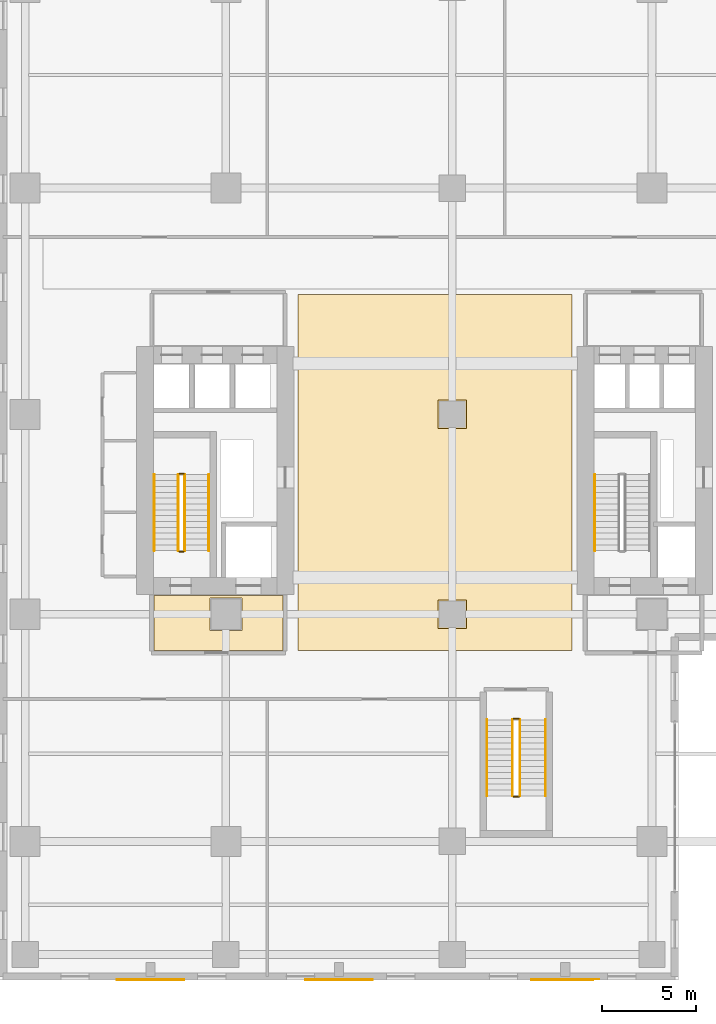
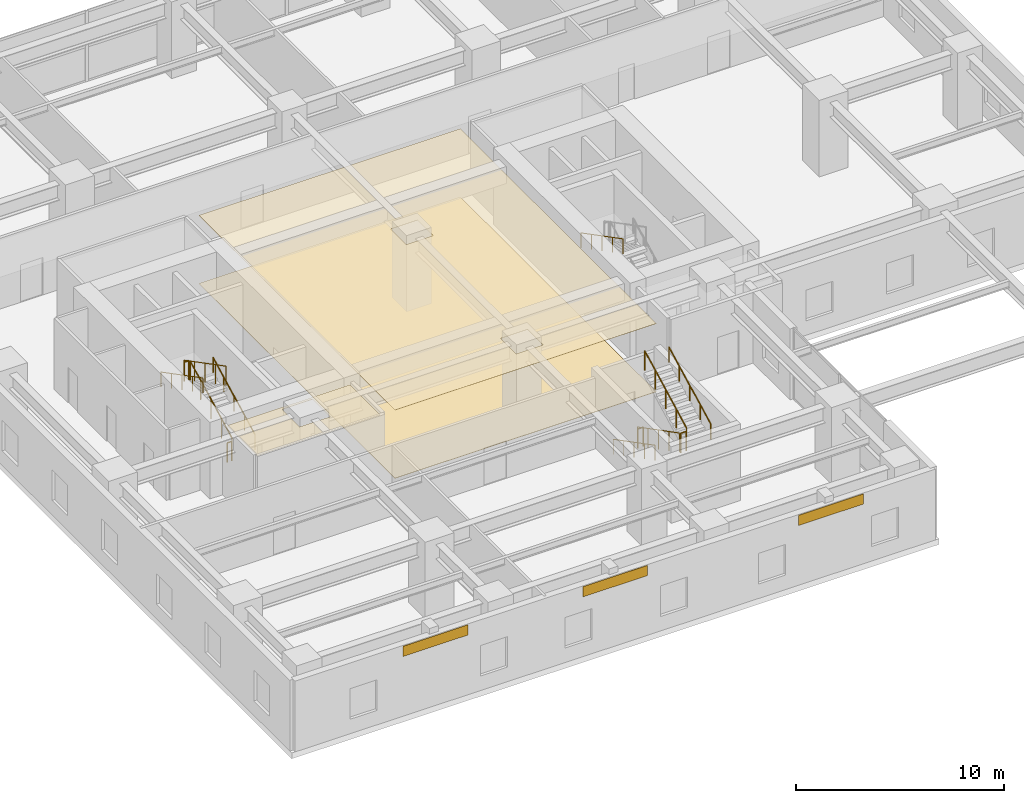
# One storey, part 24 of 28: 13 railings, 6 coverings.
"""IFC4 building model written with IfcOpenShell, lengths in metres."""

from ifc_helpers import new_model, si_unit, direction, frame, origin, origin_2d, place, context, subcontext, project, spatial, polyline, rectangle, circle, outline, extrude, source, transform, mapped, material, layer, layer_set, type_object, element, save


model = new_model("IFC4")

# Units and contexts
model_context = context("Model", 3, precision=1e-05, world=origin(), true_north=direction((0.0, 1.0)))
body_context = subcontext(model_context, "Body", "Model", "MODEL_VIEW")
ifc_project = project(units=[si_unit("LENGTHUNIT", "METRE"), si_unit("AREAUNIT", "SQUARE_METRE"), si_unit("VOLUMEUNIT", "CUBIC_METRE"), si_unit("PLANEANGLEUNIT", "RADIAN"), si_unit("MASSUNIT", "GRAM", prefix="KILO")], contexts=[model_context])

# Site, building, storey
site_placement = place(None, origin())
site = spatial("IfcSite", under=ifc_project, at=site_placement, CompositionType="ELEMENT")
building_placement = place(site_placement, origin())
building = spatial("IfcBuilding", under=site, at=building_placement, Name="Khoralis Quay Care Tower", CompositionType="ELEMENT")
storey_placement = place(building_placement, frame((0.0, 0.0, 9.0)))
storey = spatial("IfcBuildingStorey", under=building, at=storey_placement, Name="L02", CompositionType="ELEMENT", Elevation=9.0)

# Coverings
ifc_material_1 = material(Name="Mineral-fibre acoustic ceiling tile")
ifc_layer_1 = layer(ifc_material_1, 0.01806640625)
ifc_layer_set_1 = layer_set([ifc_layer_1], Name="Mineral-fibre acoustic ceiling tile")
covering_type_1 = type_object("IfcCoveringType", Name="COV-CEIL-AC18", PredefinedType="CEILING", material=ifc_layer_set_1)
covering_1_placement = place(storey_placement, frame((0.0, 0.0, 4.011962890625)))
element("IfcCovering", 1, at=covering_1_placement, inside=storey, type_object=covering_type_1, Name="Suspended Acoustic Ceiling SP-L02-FFLOB-W", PredefinedType="CEILING", context=body_context, shape_type="SweptSolid", body=[
    extrude(outline(polyline([(8.179931640625, 11.47998046875), (15.02001953125, 11.47998046875), (15.02001953125, 14.39990234375), (8.179931640625, 14.39990234375), (8.179931640625, 11.47998046875)]), holes=[polyline([(11.14990234375, 12.550048828125), (12.85009765625, 12.550048828125), (12.85009765625, 14.25), (11.14990234375, 14.25), (11.14990234375, 12.550048828125)])]), origin(), (0.0, 0.0, 1.0), 0.01806640625),
])
covering_2_placement = place(storey_placement, frame((0.0, 0.0, 4.011962890625)))
element("IfcCovering", 2, at=covering_2_placement, inside=storey, type_object=covering_type_1, Name="Suspended Acoustic Ceiling SP-L02-PCORR-C", PredefinedType="CEILING", context=body_context, shape_type="SweptSolid", body=[
    extrude(outline(polyline([(15.830078125, 11.47998046875), (30.3701171875, 11.47998046875), (30.3701171875, 30.3701171875), (15.830078125, 30.3701171875), (15.830078125, 11.47998046875)]), holes=[polyline([(23.25, 12.64990234375), (24.75, 12.64990234375), (24.75, 14.14990234375), (23.25, 14.14990234375), (23.25, 12.64990234375)]), polyline([(23.25, 23.25), (24.75, 23.25), (24.75, 24.75), (23.25, 24.75), (23.25, 23.25)])]), origin(), (0.0, 0.0, 1.0), 0.01806640625),
])
ifc_material_2 = material(Name="Porcelain and non-slip vinyl flooring")
ifc_layer_2 = layer(ifc_material_2, 0.02001953125)
ifc_layer_set_2 = layer_set([ifc_layer_2], Name="Porcelain and non-slip vinyl flooring")
covering_type_2 = type_object("IfcCoveringType", Name="COV-FLOOR-20", PredefinedType="FLOORING", material=ifc_layer_set_2)
covering_3_placement = place(storey_placement, origin())
element("IfcCovering", 3, at=covering_3_placement, inside=storey, type_object=covering_type_2, Name="Resilient Healthcare Flooring SP-L02-PCORR-C", PredefinedType="FLOORING", context=body_context, shape_type="SweptSolid", body=[
    extrude(outline(polyline([(15.830078125, 11.47998046875), (30.3701171875, 11.47998046875), (30.3701171875, 30.3701171875), (15.830078125, 30.3701171875), (15.830078125, 11.47998046875)])), origin(), (0.0, 0.0, 1.0), 0.02001953125),
])

# Railings
ifc_material_3 = material(Name="Brushed stainless steel", Category="steel")
railing_type_1 = type_object("IfcRailingType", Name="RL-GUARD-1150", PredefinedType="GUARDRAIL", material=ifc_material_3)
railing_1_placement = place(storey_placement, frame((9.820068359375, 16.77001953125, 0.16064453125)))
element("IfcRailing", 4, at=railing_1_placement, inside=storey, type_object=railing_type_1, Name="L02 ST-T1 stair guard 1", PredefinedType="GUARDRAIL", context=body_context, shape_type="SweptSolid", body=[
    extrude(circle(Radius=0.02392578125, at=origin_2d()), frame((0.0, 0.0, 1.1259765625), z_axis=(0.0, 0.887780577991, 0.46026692836), x_axis=(-1.0, 0.0, 0.0)), (0.0, 0.0, 1.0), 4.53955078125),
    extrude(circle(Radius=0.02099609375, at=origin_2d()), origin(), (0.0, 0.0, 1.0), 1.101806640625),
    extrude(circle(Radius=0.02099609375, at=origin_2d()), frame((0.0, 1.007568359375, 0.5224609375)), (0.0, 0.0, 1.0), 1.101806640625),
    extrude(circle(Radius=0.02099609375, at=origin_2d()), frame((0.0, 2.01513671875, 1.044677734375)), (0.0, 0.0, 1.0), 1.101806640625),
    extrude(circle(Radius=0.02099609375, at=origin_2d()), frame((0.0, 3.0224609375, 1.56689453125)), (0.0, 0.0, 1.0), 1.101806640625),
    extrude(circle(Radius=0.02099609375, at=origin_2d()), frame((0.0, 4.030029296875, 2.08935546875)), (0.0, 0.0, 1.0), 1.101806640625),
])
railing_2_placement = place(storey_placement, frame((9.77001953125, 20.85009765625, 2.25)))
element("IfcRailing", 5, at=railing_2_placement, inside=storey, type_object=railing_type_1, Name="L02 ST-T1 stair guard 2", PredefinedType="GUARDRAIL", context=body_context, shape_type="SweptSolid", body=[
    extrude(circle(Radius=0.02392578125, at=origin_2d()), frame((0.0, 0.0, 1.1259765625), z_axis=(-1.0, 0.0, 0.0), x_axis=(0.0, -1.0, 0.0)), (0.0, 0.0, 1.0), 0.239990234375),
    extrude(circle(Radius=0.02099609375, at=origin_2d()), origin(), (0.0, 0.0, 1.0), 1.101806640625),
    extrude(circle(Radius=0.02099609375, at=origin_2d()), frame((-0.239990234375, 0.0, 0.0)), (0.0, 0.0, 1.0), 1.101806640625),
])
railing_3_placement = place(storey_placement, frame((9.47998046875, 20.800048828125, 2.41064453125)))
element("IfcRailing", 6, at=railing_3_placement, inside=storey, type_object=railing_type_1, Name="L02 ST-T1 stair guard 3", PredefinedType="GUARDRAIL", context=body_context, shape_type="SweptSolid", body=[
    extrude(circle(Radius=0.02392578125, at=origin_2d()), frame((0.0, 0.0, 1.1259765625), z_axis=(0.0, -0.887780577991, 0.46026692836), x_axis=(1.0, 0.0, 0.0)), (0.0, 0.0, 1.0), 4.53955078125),
    extrude(circle(Radius=0.02099609375, at=origin_2d()), origin(), (0.0, 0.0, 1.0), 1.101806640625),
    extrude(circle(Radius=0.02099609375, at=origin_2d()), frame((0.0, -1.007568359375, 0.5224609375)), (0.0, 0.0, 1.0), 1.101806640625),
    extrude(circle(Radius=0.02099609375, at=origin_2d()), frame((0.0, -2.01513671875, 1.044677734375)), (0.0, 0.0, 1.0), 1.101806640625),
    extrude(circle(Radius=0.02099609375, at=origin_2d()), frame((0.0, -3.0224609375, 1.56689453125)), (0.0, 0.0, 1.0), 1.101806640625),
    extrude(circle(Radius=0.02099609375, at=origin_2d()), frame((0.0, -4.030029296875, 2.08935546875)), (0.0, 0.0, 1.0), 1.101806640625),
])
railing_4_placement = place(storey_placement, frame((9.77001953125, 16.719970703125, 0.0)))
element("IfcRailing", 7, at=railing_4_placement, inside=storey, type_object=railing_type_1, Name="L02 ST-T1 stair guard 4", PredefinedType="GUARDRAIL", context=body_context, shape_type="SweptSolid", body=[
    extrude(circle(Radius=0.02392578125, at=origin_2d()), frame((0.0, 0.0, 1.1259765625), z_axis=(-1.0, 0.0, 0.0), x_axis=(0.0, -1.0, 0.0)), (0.0, 0.0, 1.0), 0.239990234375),
    extrude(circle(Radius=0.02099609375, at=origin_2d()), origin(), (0.0, 0.0, 1.0), 1.101806640625),
    extrude(circle(Radius=0.02099609375, at=origin_2d()), frame((-0.239990234375, 0.0, 0.0)), (0.0, 0.0, 1.0), 1.101806640625),
])
railing_5_placement = place(storey_placement, frame((27.199951171875, 7.800048828125, 0.16064453125)))
element("IfcRailing", 8, at=railing_5_placement, inside=storey, type_object=railing_type_1, Name="L02 ST-P1 stair guard 1", PredefinedType="GUARDRAIL", context=body_context, shape_type="SweptSolid", body=[
    extrude(circle(Radius=0.02392578125, at=origin_2d()), frame((0.0, 0.0, 1.1259765625), z_axis=(0.0, -0.887780577991, 0.46026692836), x_axis=(1.0, 0.0, 0.0)), (0.0, 0.0, 1.0), 4.53955078125),
    extrude(circle(Radius=0.02099609375, at=origin_2d()), origin(), (0.0, 0.0, 1.0), 1.101806640625),
    extrude(circle(Radius=0.02099609375, at=origin_2d()), frame((0.0, -1.007568359375, 0.5224609375)), (0.0, 0.0, 1.0), 1.101806640625),
    extrude(circle(Radius=0.02099609375, at=origin_2d()), frame((0.0, -2.01513671875, 1.044677734375)), (0.0, 0.0, 1.0), 1.101806640625),
    extrude(circle(Radius=0.02099609375, at=origin_2d()), frame((0.0, -3.0224609375, 1.56689453125)), (0.0, 0.0, 1.0), 1.101806640625),
    extrude(circle(Radius=0.02099609375, at=origin_2d()), frame((0.0, -4.030029296875, 2.08935546875)), (0.0, 0.0, 1.0), 1.101806640625),
])
railing_6_placement = place(storey_placement, frame((27.25, 3.719970703125, 2.25)))
element("IfcRailing", 9, at=railing_6_placement, inside=storey, type_object=railing_type_1, Name="L02 ST-P1 stair guard 2", PredefinedType="GUARDRAIL", context=body_context, shape_type="SweptSolid", body=[
    extrude(circle(Radius=0.02392578125, at=origin_2d()), frame((0.0, 0.0, 1.1259765625), z_axis=(1.0, 0.0, 0.0), x_axis=(0.0, 1.0, 0.0)), (0.0, 0.0, 1.0), 0.300048828125),
    extrude(circle(Radius=0.02099609375, at=origin_2d()), origin(), (0.0, 0.0, 1.0), 1.101806640625),
    extrude(circle(Radius=0.02099609375, at=origin_2d()), frame((0.300048828125, 0.0, 0.0)), (0.0, 0.0, 1.0), 1.101806640625),
])
railing_7_placement = place(storey_placement, frame((27.60009765625, 3.77001953125, 2.41064453125)))
element("IfcRailing", 10, at=railing_7_placement, inside=storey, type_object=railing_type_1, Name="L02 ST-P1 stair guard 3", PredefinedType="GUARDRAIL", context=body_context, shape_type="SweptSolid", body=[
    extrude(circle(Radius=0.02392578125, at=origin_2d()), frame((0.0, 0.0, 1.1259765625), z_axis=(0.0, 0.887780577991, 0.46026692836), x_axis=(-1.0, 0.0, 0.0)), (0.0, 0.0, 1.0), 4.53955078125),
    extrude(circle(Radius=0.02099609375, at=origin_2d()), origin(), (0.0, 0.0, 1.0), 1.101806640625),
    extrude(circle(Radius=0.02099609375, at=origin_2d()), frame((0.0, 1.007568359375, 0.5224609375)), (0.0, 0.0, 1.0), 1.101806640625),
    extrude(circle(Radius=0.02099609375, at=origin_2d()), frame((0.0, 2.01513671875, 1.044677734375)), (0.0, 0.0, 1.0), 1.101806640625),
    extrude(circle(Radius=0.02099609375, at=origin_2d()), frame((0.0, 3.0224609375, 1.56689453125)), (0.0, 0.0, 1.0), 1.101806640625),
    extrude(circle(Radius=0.02099609375, at=origin_2d()), frame((0.0, 4.030029296875, 2.08935546875)), (0.0, 0.0, 1.0), 1.101806640625),
])
railing_8_placement = place(storey_placement, frame((27.25, 7.85009765625, 0.0)))
element("IfcRailing", 11, at=railing_8_placement, inside=storey, type_object=railing_type_1, Name="L02 ST-P1 stair guard 4", PredefinedType="GUARDRAIL", context=body_context, shape_type="SweptSolid", body=[
    extrude(circle(Radius=0.02392578125, at=origin_2d()), frame((0.0, 0.0, 1.1259765625), z_axis=(1.0, 0.0, 0.0), x_axis=(0.0, 1.0, 0.0)), (0.0, 0.0, 1.0), 0.300048828125),
    extrude(circle(Radius=0.02099609375, at=origin_2d()), origin(), (0.0, 0.0, 1.0), 1.101806640625),
    extrude(circle(Radius=0.02099609375, at=origin_2d()), frame((0.300048828125, 0.0, 0.0)), (0.0, 0.0, 1.0), 1.101806640625),
])
railing_type_2 = type_object("IfcRailingType", Name="RL-HAND-900", PredefinedType="HANDRAIL", material=ifc_material_3)
railing_9_placement = place(storey_placement, frame((11.10009765625, 16.77001953125, 0.16064453125)))
element("IfcRailing", 12, at=railing_9_placement, inside=storey, type_object=railing_type_2, Name="L02 ST-T1 stair handrail 1", PredefinedType="HANDRAIL", context=body_context, shape_type="SweptSolid", body=[
    extrude(circle(Radius=0.02392578125, at=origin_2d()), frame((0.0, 0.0, 0.8759765625), z_axis=(0.0, 0.887780577991, 0.46026692836), x_axis=(-1.0, 0.0, 0.0)), (0.0, 0.0, 1.0), 4.53955078125),
    extrude(circle(Radius=0.02099609375, at=origin_2d()), origin(), (0.0, 0.0, 1.0), 0.851806640625),
    extrude(circle(Radius=0.02099609375, at=origin_2d()), frame((0.0, 1.007568359375, 0.5224609375)), (0.0, 0.0, 1.0), 0.851806640625),
    extrude(circle(Radius=0.02099609375, at=origin_2d()), frame((0.0, 2.01513671875, 1.044677734375)), (0.0, 0.0, 1.0), 0.851806640625),
    extrude(circle(Radius=0.02099609375, at=origin_2d()), frame((0.0, 3.0224609375, 1.56689453125)), (0.0, 0.0, 1.0), 0.851806640625),
    extrude(circle(Radius=0.02099609375, at=origin_2d()), frame((0.0, 4.030029296875, 2.08935546875)), (0.0, 0.0, 1.0), 0.851806640625),
])
for number, where, name in (
    (13, (8.199951171875, 20.800048828125, 2.41064453125), "L02 ST-T1 stair handrail 2"),
    (14, (31.570068359375, 20.800048828125, 2.41064453125), "L02 ST-T2 stair handrail 2"),
    (15, (25.85009765625, 7.800048828125, 0.16064453125), "L02 ST-P1 stair handrail 1"),
):
    element("IfcRailing", number, at=place(storey_placement, frame(where)), inside=storey, type_object=railing_type_2, Name=name, PredefinedType="HANDRAIL", context=body_context, shape_type="SweptSolid", body=[
        extrude(circle(Radius=0.02392578125, at=origin_2d()), frame((0.0, 0.0, 0.8759765625), z_axis=(0.0, -0.887780577991, 0.46026692836), x_axis=(1.0, 0.0, 0.0)), (0.0, 0.0, 1.0), 4.53955078125),
        extrude(circle(Radius=0.02099609375, at=origin_2d()), origin(), (0.0, 0.0, 1.0), 0.851806640625),
        extrude(circle(Radius=0.02099609375, at=origin_2d()), frame((0.0, -1.007568359375, 0.5224609375)), (0.0, 0.0, 1.0), 0.851806640625),
        extrude(circle(Radius=0.02099609375, at=origin_2d()), frame((0.0, -2.01513671875, 1.044677734375)), (0.0, 0.0, 1.0), 0.851806640625),
        extrude(circle(Radius=0.02099609375, at=origin_2d()), frame((0.0, -3.0224609375, 1.56689453125)), (0.0, 0.0, 1.0), 0.851806640625),
        extrude(circle(Radius=0.02099609375, at=origin_2d()), frame((0.0, -4.030029296875, 2.08935546875)), (0.0, 0.0, 1.0), 0.851806640625),
    ])
railing_10_placement = place(storey_placement, frame((28.949951171875, 3.77001953125, 2.41064453125)))
element("IfcRailing", 16, at=railing_10_placement, inside=storey, type_object=railing_type_2, Name="L02 ST-P1 stair handrail 2", PredefinedType="HANDRAIL", context=body_context, shape_type="SweptSolid", body=[
    extrude(circle(Radius=0.02392578125, at=origin_2d()), frame((0.0, 0.0, 0.8759765625), z_axis=(0.0, 0.887780577991, 0.46026692836), x_axis=(-1.0, 0.0, 0.0)), (0.0, 0.0, 1.0), 4.53955078125),
    extrude(circle(Radius=0.02099609375, at=origin_2d()), origin(), (0.0, 0.0, 1.0), 0.851806640625),
    extrude(circle(Radius=0.02099609375, at=origin_2d()), frame((0.0, 1.007568359375, 0.5224609375)), (0.0, 0.0, 1.0), 0.851806640625),
    extrude(circle(Radius=0.02099609375, at=origin_2d()), frame((0.0, 2.01513671875, 1.044677734375)), (0.0, 0.0, 1.0), 0.851806640625),
    extrude(circle(Radius=0.02099609375, at=origin_2d()), frame((0.0, 3.0224609375, 1.56689453125)), (0.0, 0.0, 1.0), 0.851806640625),
    extrude(circle(Radius=0.02099609375, at=origin_2d()), frame((0.0, 4.030029296875, 2.08935546875)), (0.0, 0.0, 1.0), 0.851806640625),
])

# Coverings
ifc_material_4 = material(Name="Brushed pale anodised aluminium", Category="aluminium")
ifc_layer_3 = layer(ifc_material_4, 0.0400390625)
ifc_layer_set_3 = layer_set([ifc_layer_3], Name="Brushed pale anodised aluminium")
covering_type_3 = type_object("IfcCoveringType", Name="COV-CLAD-40", PredefinedType="CLADDING", material=ifc_layer_set_3)
shared_shape = source(origin(), body_context, "Body", "SweptSolid", [
    extrude(rectangle(XDim=3.60009765625, YDim=0.0400390625, at=origin_2d()), origin(), (0.0, 0.0, 1.0), 0.60009765625),
])
for number, where, z_axis, x_axis, name in (
    (17, (8.0, -5.97998046875, 3.510009765625), (0.0, 0.0, 1.0), (1.0, 0.0, 0.0), "L02 Pale-Metal Spandrel Cladding Panel 1"),
    (18, (18.0, -5.97998046875, 3.510009765625), (0.0, 0.0, 1.0), (1.0, 0.0, 0.0), "L02 Pale-Metal Spandrel Cladding Panel 2"),
    (19, (30.0, -5.97998046875, 3.510009765625), (0.0, 0.0, 1.0), (1.0, 0.0, 0.0), "L02 Pale-Metal Spandrel Cladding Panel 3"),
):
    element("IfcCovering", number, at=place(storey_placement, frame(where, z_axis=z_axis, x_axis=x_axis)), inside=storey, type_object=covering_type_3, Name=name, PredefinedType="CLADDING", context=body_context, shape_type="MappedRepresentation", body=[
        mapped(shared_shape, transform((0.0, 0.0, 0.0), scale=1.0)),
    ])

save(model, "model.ifc")
